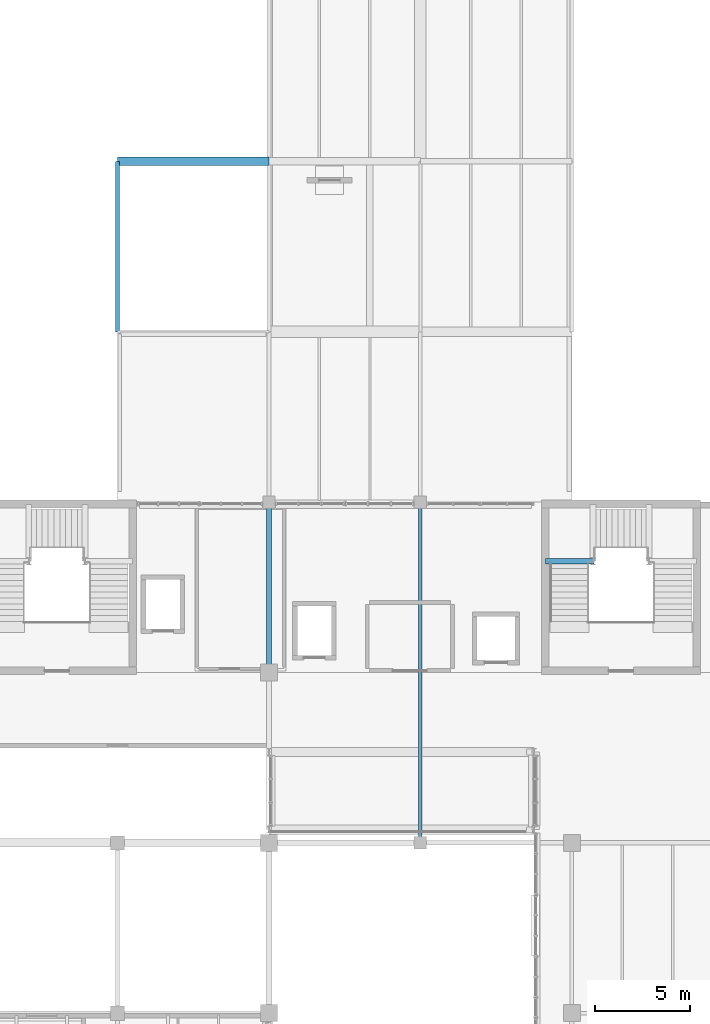
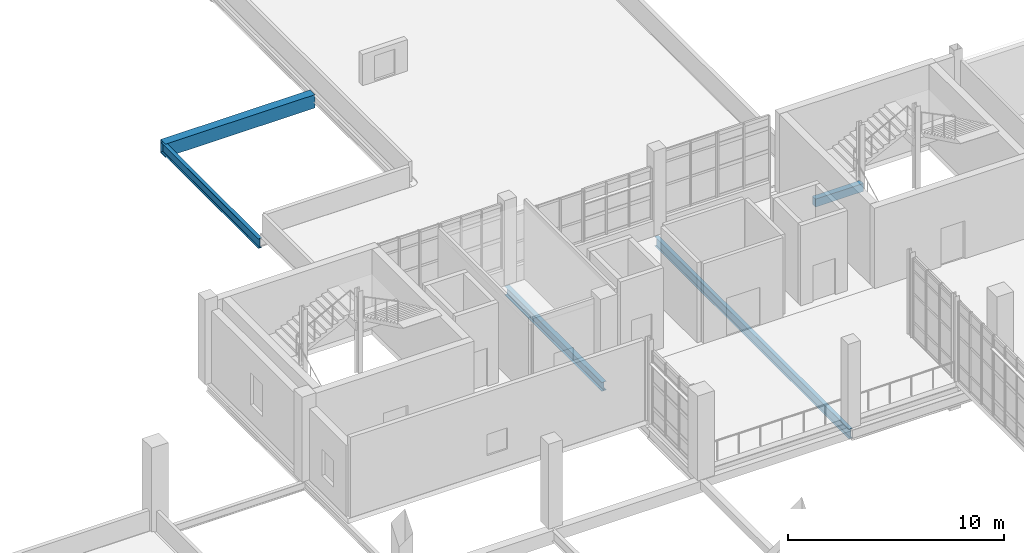
# One storey, part 67 of 127: 5 beams.
"""IFC4 building model written with IfcOpenShell, lengths in metres."""

from ifc_helpers import new_model, si_unit, derived_unit, direction, frame, origin, origin_2d, place, context, subcontext, project, spatial, rectangle, i_section, extrude, material, material_profile, profile_set, type_object, element, save


model = new_model("IFC4")

# Units and contexts
model_context = context("Model", 3, precision=1e-05, world=origin(), true_north=direction((0.0, 1.0)))
body_context = subcontext(model_context, "Body", "Model", "MODEL_VIEW")
ifc_project = project(units=[si_unit("LENGTHUNIT", "METRE"), si_unit("AREAUNIT", "SQUARE_METRE"), si_unit("VOLUMEUNIT", "CUBIC_METRE"), si_unit("PLANEANGLEUNIT", "RADIAN"), si_unit("MASSUNIT", "GRAM", prefix="KILO"), derived_unit("THERMALTRANSMITTANCEUNIT", [(si_unit("POWERUNIT", "WATT"), 1), (si_unit("LENGTHUNIT", "METRE"), -2), (si_unit("THERMODYNAMICTEMPERATUREUNIT", "KELVIN"), -1)])], contexts=[model_context])

# Site, building, storey
site_placement = place(None, origin())
site = spatial("IfcSite", under=ifc_project, at=site_placement, CompositionType="ELEMENT")
building_placement = place(site_placement, origin())
building = spatial("IfcBuilding", under=site, at=building_placement, Name="Nallur Shell Playhouse", CompositionType="ELEMENT")
storey_placement = place(building_placement, frame((0.0, 0.0, 5.39990234375)))
storey = spatial("IfcBuildingStorey", under=building, at=storey_placement, Name="L02", CompositionType="ELEMENT", Elevation=5.39990234375)

# Beams
ifc_material_1 = material(Name="Concrete M35", Category="concrete")
ifc_material_profile_1 = material_profile(ifc_material_1, rectangle(XDim=0.449951171875, YDim=0.75, at=origin_2d()), Name="RC 450x750")
ifc_profile_set_1 = profile_set([ifc_material_profile_1], Name="Concrete M35")
beam_type_1 = type_object("IfcBeamType", Name="BM-RC-450x750", PredefinedType="BEAM", material=ifc_profile_set_1)
beam_1_placement = place(storey_placement, frame((32.0, 101.0, -0.65478515625), z_axis=(1.0, 0.0, 0.0), x_axis=(0.0, 1.0, 0.0)))
element("IfcBeam", 1, at=beam_1_placement, inside=storey, type_object=beam_type_1, Name="L02 girder X-M-382", PredefinedType="BEAM", context=body_context, shape_type="SweptSolid", body=[
    extrude(rectangle(XDim=0.449951171875, YDim=0.75, at=origin_2d()), origin(), (0.0, 0.0, 1.0), 8.0),
])
ifc_material_profile_2 = material_profile(ifc_material_1, rectangle(XDim=0.300048828125, YDim=0.449951171875, at=origin_2d()), Name="RC 300x450")
ifc_profile_set_2 = profile_set([ifc_material_profile_2], Name="Concrete M35")
beam_type_2 = type_object("IfcBeamType", Name="BM-SPN-300x450", PredefinedType="SPANDREL", material=ifc_profile_set_2)
beam_2_placement = place(storey_placement, frame((54.6201171875, 79.8798828125, 1.22509765625), z_axis=(1.0, 0.0, 0.0), x_axis=(0.0, 1.0, 0.0)))
element("IfcBeam", 2, at=beam_2_placement, inside=storey, type_object=beam_type_2, Name="Stair ST-03-L02 L1 south bearer beam", PredefinedType="SPANDREL", context=body_context, shape_type="SweptSolid", body=[
    extrude(rectangle(XDim=0.300048828125, YDim=0.449951171875, at=origin_2d()), origin(), (0.0, 0.0, 1.0), 2.559814453125),
])
ifc_material_2 = material(Name="Steel E350", Category="steel")
ifc_material_profile_3 = material_profile(ifc_material_2, i_section(OverallWidth=0.18994140625, OverallDepth=0.550048828125, WebThickness=0.01123046875, FlangeThickness=0.019287109375, FilletRadius=0.01806640625, at=origin_2d()), Name="ISMB 550")
ifc_profile_set_3 = profile_set([ifc_material_profile_3], Name="Steel E350")
beam_type_3 = type_object("IfcBeamType", Name="BM-ST-ISMB550", PredefinedType="BEAM", material=ifc_profile_set_3)
beam_3_placement = place(storey_placement, frame((32.0, 92.0, -0.554931640625), z_axis=(0.0, 1.0, 0.0), x_axis=(-1.0, 0.0, 0.0)))
element("IfcBeam", 3, at=beam_3_placement, inside=storey, type_object=beam_type_3, Name="L02 girder Y-4-409", PredefinedType="BEAM", context=body_context, shape_type="SweptSolid", body=[
    extrude(i_section(OverallWidth=0.18994140625, OverallDepth=0.550048828125, WebThickness=0.01123046875, FlangeThickness=0.019287109375, FilletRadius=0.01806640625, at=origin_2d()), origin(), (0.0, 0.0, 1.0), 9.0),
])
beam_4_placement = place(storey_placement, frame((48.0, 65.0, -0.554931640625), z_axis=(0.0, 1.0, 0.0), x_axis=(-1.0, 0.0, 0.0)))
element("IfcBeam", 4, at=beam_4_placement, inside=storey, type_object=beam_type_3, Name="L02 girder Y-6-425", PredefinedType="BEAM", context=body_context, shape_type="SweptSolid", body=[
    extrude(i_section(OverallWidth=0.18994140625, OverallDepth=0.550048828125, WebThickness=0.01123046875, FlangeThickness=0.019287109375, FilletRadius=0.01806640625, at=origin_2d()), origin(), (0.0, 0.0, 1.0), 18.0),
])
ifc_material_profile_4 = material_profile(ifc_material_2, i_section(OverallWidth=0.25, OverallDepth=0.5, WebThickness=0.010009765625, FlangeThickness=0.0146484375, FilletRadius=0.014892578125, at=origin_2d()), Name="ISWB 500")
ifc_profile_set_4 = profile_set([ifc_material_profile_4], Name="Steel E350")
beam_type_4 = type_object("IfcBeamType", Name="BM-ST-ISWB500", PredefinedType="BEAM", material=ifc_profile_set_4)
beam_5_placement = place(storey_placement, frame((40.0, 74.0, -0.52978515625), z_axis=(0.0, 1.0, 0.0), x_axis=(-1.0, 0.0, 0.0)))
element("IfcBeam", 5, at=beam_5_placement, inside=storey, type_object=beam_type_4, Name="L02 girder Y-5-419", PredefinedType="BEAM", context=body_context, shape_type="SweptSolid", body=[
    extrude(i_section(OverallWidth=0.25, OverallDepth=0.5, WebThickness=0.010009765625, FlangeThickness=0.0146484375, FilletRadius=0.014892578125, at=origin_2d()), origin(), (0.0, 0.0, 1.0), 9.0),
])

save(model, "model.ifc")
